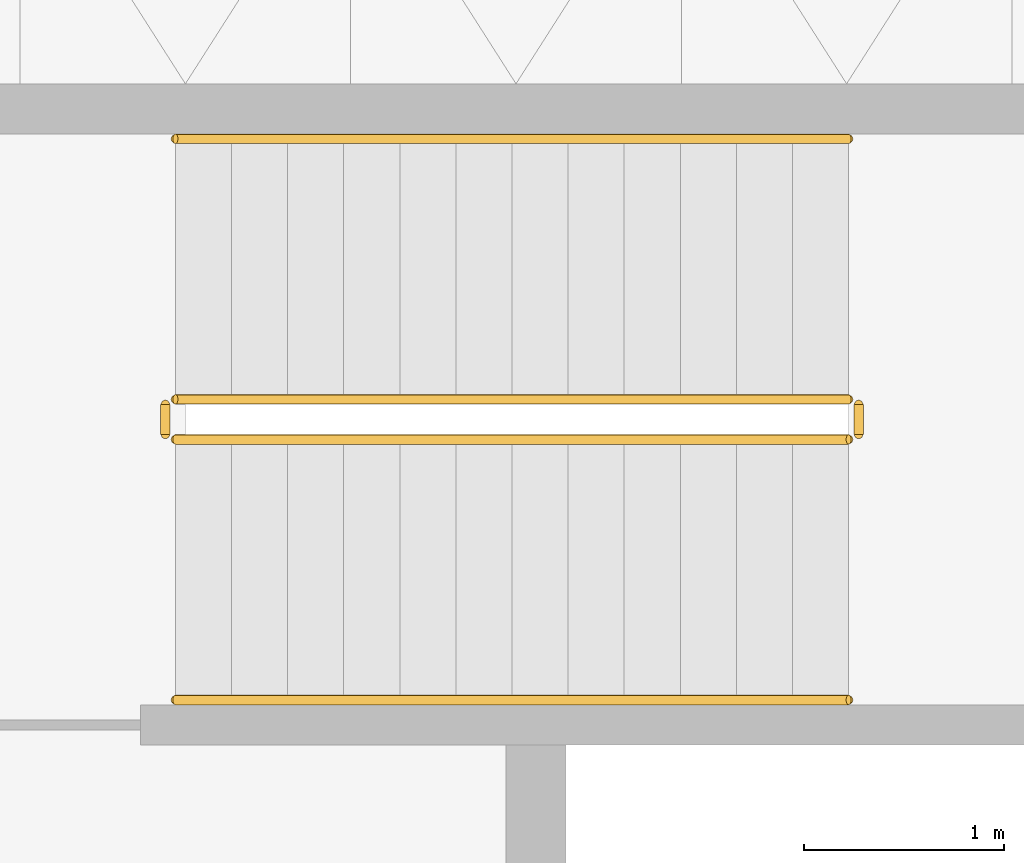
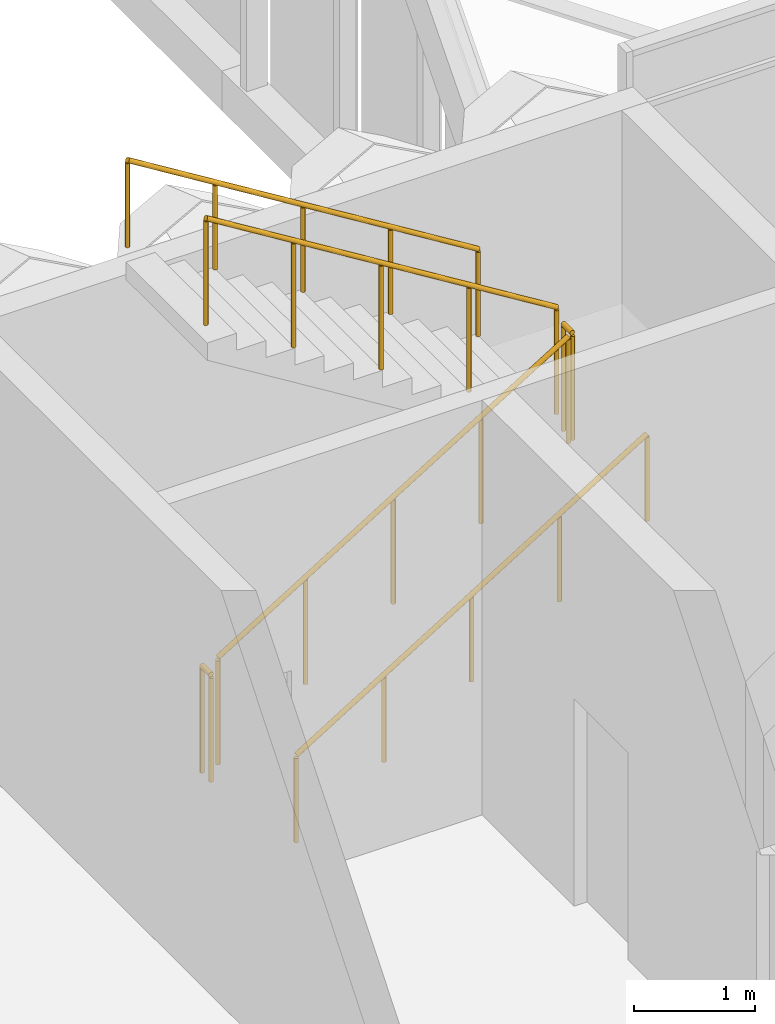
# One storey, part 70 of 109: 6 railings.
"""IFC4 building model written with IfcOpenShell, lengths in metres."""

from ifc_helpers import new_model, si_unit, direction, frame, origin, origin_2d, place, context, subcontext, project, spatial, circle, extrude, material, type_object, element, save


model = new_model("IFC4")

# Units and contexts
model_context = context("Model", 3, precision=1e-05, world=origin(), true_north=direction((0.0, 1.0)))
body_context = subcontext(model_context, "Body", "Model", "MODEL_VIEW")
ifc_project = project(units=[si_unit("LENGTHUNIT", "METRE"), si_unit("AREAUNIT", "SQUARE_METRE"), si_unit("VOLUMEUNIT", "CUBIC_METRE"), si_unit("PLANEANGLEUNIT", "RADIAN"), si_unit("MASSUNIT", "GRAM", prefix="KILO")], contexts=[model_context])

# Site, building, storey
site_placement = place(None, origin())
site = spatial("IfcSite", under=ifc_project, at=site_placement, CompositionType="ELEMENT")
building_placement = place(site_placement, origin())
building = spatial("IfcBuilding", under=site, at=building_placement, Name="Lantern Court Research Institute", CompositionType="ELEMENT")
storey_placement = place(building_placement, frame((0.0, 0.0, 14.39990234375)))
storey = spatial("IfcBuildingStorey", under=building, at=storey_placement, Name="L03", CompositionType="ELEMENT", Elevation=14.39990234375)

# Railings
ifc_material_1 = material(Name="Structural steel S355", Category="steel")
railing_type_1 = type_object("IfcRailingType", Name="Stair guard 1100 steel", PredefinedType="GUARDRAIL", material=ifc_material_1)
railing_1_placement = place(storey_placement, frame((34.60009765625, 21.324951171875, 0.173095703125)))
element("IfcRailing", 1, at=railing_1_placement, inside=storey, type_object=railing_type_1, Name="L03 ST-B3 stair guard 1", PredefinedType="GUARDRAIL", context=body_context, shape_type="SweptSolid", body=[
    extrude(circle(Radius=0.02392578125, at=origin_2d()), frame((0.0, 0.0, 1.076171875), z_axis=(0.850606129759, 0.0, 0.525803396734), x_axis=(0.0, 1.0, 0.0)), (0.0, 0.0, 1.0), 3.949951171875),
    extrude(circle(Radius=0.02099609375, at=origin_2d()), origin(), (0.0, 0.0, 1.0), 1.052001953125),
    extrude(circle(Radius=0.02099609375, at=origin_2d()), frame((0.83984375, 0.0, 0.519287109375)), (0.0, 0.0, 1.0), 1.052001953125),
    extrude(circle(Radius=0.02099609375, at=origin_2d()), frame((1.679931640625, 0.0, 1.03857421875)), (0.0, 0.0, 1.0), 1.052001953125),
    extrude(circle(Radius=0.02099609375, at=origin_2d()), frame((2.52001953125, 0.0, 1.5576171875)), (0.0, 0.0, 1.0), 1.052001953125),
    extrude(circle(Radius=0.02099609375, at=origin_2d()), frame((3.35986328125, 0.0, 2.076904296875)), (0.0, 0.0, 1.0), 1.052001953125),
])
railing_2_placement = place(storey_placement, frame((38.010009765625, 21.35009765625, 2.25)))
element("IfcRailing", 2, at=railing_2_placement, inside=storey, type_object=railing_type_1, Name="L03 ST-B3 stair guard 2", PredefinedType="GUARDRAIL", context=body_context, shape_type="SweptSolid", body=[
    extrude(circle(Radius=0.02392578125, at=origin_2d()), frame((0.0, 0.0, 1.076171875), z_axis=(0.0, 1.0, 0.0), x_axis=(-1.0, 0.0, 0.0)), (0.0, 0.0, 1.0), 0.14990234375),
    extrude(circle(Radius=0.02099609375, at=origin_2d()), origin(), (0.0, 0.0, 1.0), 1.052001953125),
    extrude(circle(Radius=0.02099609375, at=origin_2d()), frame((0.0, 0.14990234375, 0.0)), (0.0, 0.0, 1.0), 1.052001953125),
])
railing_3_placement = place(storey_placement, frame((37.9599609375, 21.52490234375, 2.423095703125)))
element("IfcRailing", 3, at=railing_3_placement, inside=storey, type_object=railing_type_1, Name="L03 ST-B3 stair guard 3", PredefinedType="GUARDRAIL", context=body_context, shape_type="SweptSolid", body=[
    extrude(circle(Radius=0.02392578125, at=origin_2d()), frame((0.0, 0.0, 1.076171875), z_axis=(-0.850606129759, 0.0, 0.525803396734), x_axis=(0.0, -1.0, 0.0)), (0.0, 0.0, 1.0), 3.949951171875),
    extrude(circle(Radius=0.02099609375, at=origin_2d()), origin(), (0.0, 0.0, 1.0), 1.052001953125),
    extrude(circle(Radius=0.02099609375, at=origin_2d()), frame((-0.83984375, 0.0, 0.519287109375)), (0.0, 0.0, 1.0), 1.052001953125),
    extrude(circle(Radius=0.02099609375, at=origin_2d()), frame((-1.679931640625, 0.0, 1.03857421875)), (0.0, 0.0, 1.0), 1.052001953125),
    extrude(circle(Radius=0.02099609375, at=origin_2d()), frame((-2.52001953125, 0.0, 1.5576171875)), (0.0, 0.0, 1.0), 1.052001953125),
    extrude(circle(Radius=0.02099609375, at=origin_2d()), frame((-3.35986328125, 0.0, 2.076904296875)), (0.0, 0.0, 1.0), 1.052001953125),
])
railing_4_placement = place(storey_placement, frame((34.550048828125, 21.35009765625, 0.0)))
element("IfcRailing", 4, at=railing_4_placement, inside=storey, type_object=railing_type_1, Name="L03 ST-B3 stair guard 4", PredefinedType="GUARDRAIL", context=body_context, shape_type="SweptSolid", body=[
    extrude(circle(Radius=0.02392578125, at=origin_2d()), frame((0.0, 0.0, 1.076171875), z_axis=(0.0, 1.0, 0.0), x_axis=(-1.0, 0.0, 0.0)), (0.0, 0.0, 1.0), 0.14990234375),
    extrude(circle(Radius=0.02099609375, at=origin_2d()), origin(), (0.0, 0.0, 1.0), 1.052001953125),
    extrude(circle(Radius=0.02099609375, at=origin_2d()), frame((0.0, 0.14990234375, 0.0)), (0.0, 0.0, 1.0), 1.052001953125),
])
ifc_material_2 = material(Name="Stainless steel 316", Category="steel")
railing_type_2 = type_object("IfcRailingType", Name="Stair handrail 900 steel", PredefinedType="HANDRAIL", material=ifc_material_2)
railing_5_placement = place(storey_placement, frame((34.60009765625, 20.02490234375, 0.173095703125)))
element("IfcRailing", 5, at=railing_5_placement, inside=storey, type_object=railing_type_2, Name="L03 ST-B3 stair handrail 1", PredefinedType="HANDRAIL", context=body_context, shape_type="SweptSolid", body=[
    extrude(circle(Radius=0.02392578125, at=origin_2d()), frame((0.0, 0.0, 0.8759765625), z_axis=(0.850606129759, 0.0, 0.525803396734), x_axis=(0.0, 1.0, 0.0)), (0.0, 0.0, 1.0), 3.949951171875),
    extrude(circle(Radius=0.02099609375, at=origin_2d()), origin(), (0.0, 0.0, 1.0), 0.851806640625),
    extrude(circle(Radius=0.02099609375, at=origin_2d()), frame((0.83984375, 0.0, 0.519287109375)), (0.0, 0.0, 1.0), 0.851806640625),
    extrude(circle(Radius=0.02099609375, at=origin_2d()), frame((1.679931640625, 0.0, 1.03857421875)), (0.0, 0.0, 1.0), 0.851806640625),
    extrude(circle(Radius=0.02099609375, at=origin_2d()), frame((2.52001953125, 0.0, 1.5576171875)), (0.0, 0.0, 1.0), 0.851806640625),
    extrude(circle(Radius=0.02099609375, at=origin_2d()), frame((3.35986328125, 0.0, 2.076904296875)), (0.0, 0.0, 1.0), 0.851806640625),
])
railing_6_placement = place(storey_placement, frame((37.9599609375, 22.824951171875, 2.423095703125)))
element("IfcRailing", 6, at=railing_6_placement, inside=storey, type_object=railing_type_2, Name="L03 ST-B3 stair handrail 2", PredefinedType="HANDRAIL", context=body_context, shape_type="SweptSolid", body=[
    extrude(circle(Radius=0.02392578125, at=origin_2d()), frame((0.0, 0.0, 0.8759765625), z_axis=(-0.850606129759, 0.0, 0.525803396734), x_axis=(0.0, -1.0, 0.0)), (0.0, 0.0, 1.0), 3.949951171875),
    extrude(circle(Radius=0.02099609375, at=origin_2d()), origin(), (0.0, 0.0, 1.0), 0.851806640625),
    extrude(circle(Radius=0.02099609375, at=origin_2d()), frame((-0.83984375, 0.0, 0.519287109375)), (0.0, 0.0, 1.0), 0.851806640625),
    extrude(circle(Radius=0.02099609375, at=origin_2d()), frame((-1.679931640625, 0.0, 1.03857421875)), (0.0, 0.0, 1.0), 0.851806640625),
    extrude(circle(Radius=0.02099609375, at=origin_2d()), frame((-2.52001953125, 0.0, 1.5576171875)), (0.0, 0.0, 1.0), 0.851806640625),
    extrude(circle(Radius=0.02099609375, at=origin_2d()), frame((-3.35986328125, 0.0, 2.076904296875)), (0.0, 0.0, 1.0), 0.851806640625),
])

save(model, "model.ifc")
